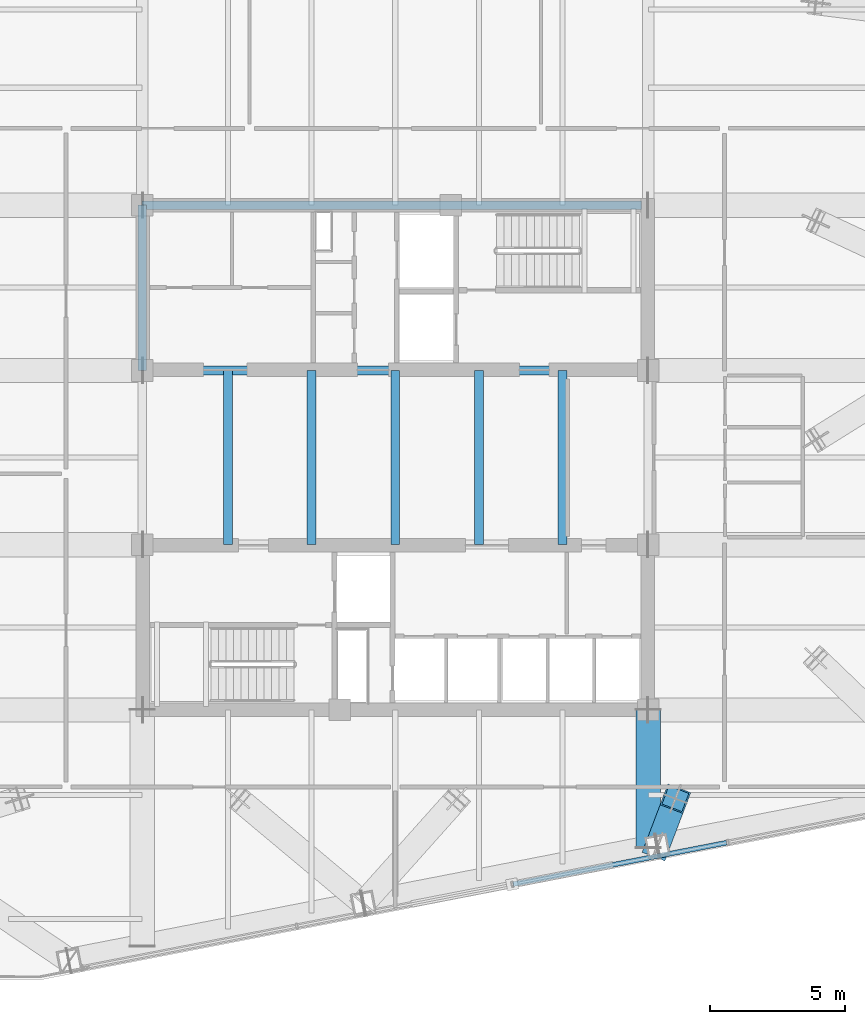
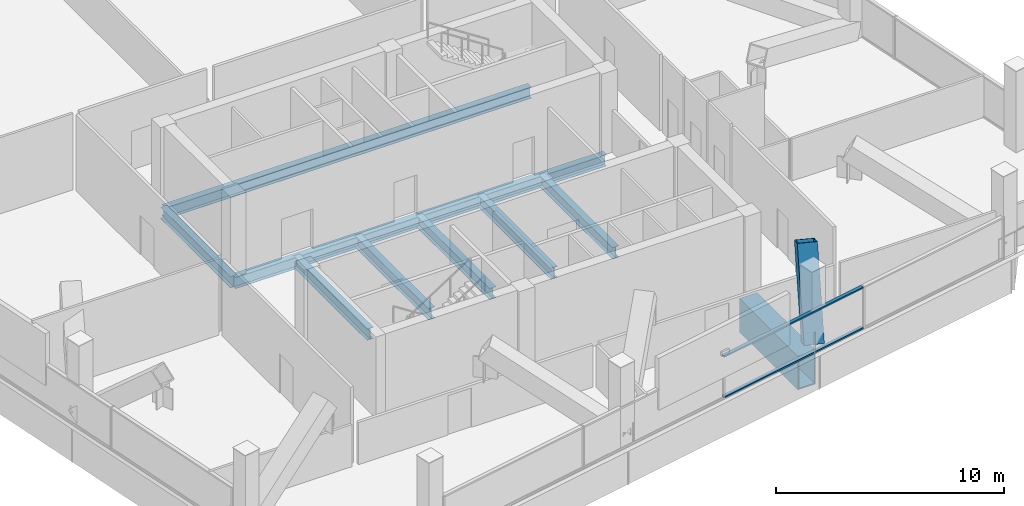
# One storey, part 7 of 26: 9 beams, 3 members, 1 element without a shape of its own.
"""IFC4 building model written with IfcOpenShell, lengths in metres."""

from ifc_helpers import new_model, si_unit, direction, frame, origin, origin_2d, place, context, subcontext, project, spatial, hollow_rectangle, i_section, extrude, material, layer, layer_set, material_profile, profile_set, type_object, element, aggregate, save


model = new_model("IFC4")

# Units and contexts
model_context = context("Model", 3, precision=1e-05, world=origin(), true_north=direction((0.0, 1.0)))
body_context = subcontext(model_context, "Body", "Model", "MODEL_VIEW")
ifc_project = project(units=[si_unit("LENGTHUNIT", "METRE"), si_unit("AREAUNIT", "SQUARE_METRE"), si_unit("VOLUMEUNIT", "CUBIC_METRE"), si_unit("PLANEANGLEUNIT", "RADIAN"), si_unit("MASSUNIT", "GRAM", prefix="KILO")], contexts=[model_context])

# Site, building, storey
site_placement = place(None, origin())
site = spatial("IfcSite", under=ifc_project, at=site_placement, CompositionType="ELEMENT")
building_placement = place(site_placement, origin())
building = spatial("IfcBuilding", under=site, at=building_placement, Name="Qhalaya Broadcast Tower", CompositionType="ELEMENT")
storey_placement = place(building_placement, frame((0.0, 0.0, 140.25)))
storey = spatial("IfcBuildingStorey", under=building, at=storey_placement, Name="L41", CompositionType="ELEMENT", Elevation=140.25)

# Beams
ifc_material_1 = material(Name="Structural Steel ASTM A572 Grade 50", Category="steel")
ifc_material_profile_1 = material_profile(ifc_material_1, hollow_rectangle(XDim=0.89990234375, YDim=1.800048828125, WallThickness=0.06005859375, at=origin_2d()), Name="BOX 900x1800x60")
ifc_profile_set_1 = profile_set([ifc_material_profile_1], Name="Structural Steel ASTM A572 Grade 50")
beam_type_1 = type_object("IfcBeamType", Name="Block Cantilever Transfer Box Girder TG1", PredefinedType="USERDEFINED", material=ifc_profile_set_1)
beam_1_placement = place(storey_placement, frame((9.375, -13.845703125, -1.1201171875), z_axis=(0.0, 1.0, 0.0), x_axis=(-1.0, 0.0, 0.0)))
element("IfcBeam", 1, at=beam_1_placement, inside=storey, type_object=beam_type_1, Name="L41 TG1 L41-PGXS2-1", ObjectType="GIRDER", PredefinedType="USERDEFINED", context=body_context, shape_type="SweptSolid", body=[
    extrude(hollow_rectangle(XDim=0.89990234375, YDim=1.800048828125, WallThickness=0.06005859375, at=origin_2d()), origin(), (0.0, 0.0, 1.0), 5.095703125),
])
ifc_material_2 = material(Name="Structural Steel ASTM A992 Grade 50", Category="steel")
ifc_material_profile_2 = material_profile(ifc_material_2, i_section(OverallWidth=0.323974609375, OverallDepth=0.612060546875, WebThickness=0.0126953125, FlangeThickness=0.01904296875, at=origin_2d()), Name="W24X104")
ifc_profile_set_2 = profile_set([ifc_material_profile_2], Name="Structural Steel ASTM A992 Grade 50")
beam_type_2 = type_object("IfcBeamType", Name="Core Frame Tie Beam B04", PredefinedType="BEAM", material=ifc_profile_set_2)
beam_2_placement = place(storey_placement, frame((-9.375, 3.824951171875, -0.52587890625), z_axis=(1.0, 0.0, 0.0), x_axis=(0.0, 1.0, 0.0)))
element("IfcBeam", 2, at=beam_2_placement, inside=storey, type_object=beam_type_2, Name="L41 B04 L41-CCN1", PredefinedType="BEAM", context=body_context, shape_type="SweptSolid", body=[
    extrude(i_section(OverallWidth=0.323974609375, OverallDepth=0.612060546875, WebThickness=0.0126953125, FlangeThickness=0.01904296875, at=origin_2d()), origin(), (0.0, 0.0, 1.0), 18.75),
])
beam_3_placement = place(storey_placement, frame((-9.375, 3.824951171875, -0.52587890625), z_axis=(0.0, 1.0, 0.0), x_axis=(-1.0, 0.0, 0.0)))
element("IfcBeam", 3, at=beam_3_placement, inside=storey, type_object=beam_type_2, Name="L41 B04 L41-CCN2", PredefinedType="BEAM", context=body_context, shape_type="SweptSolid", body=[
    extrude(i_section(OverallWidth=0.323974609375, OverallDepth=0.612060546875, WebThickness=0.0126953125, FlangeThickness=0.01904296875, at=origin_2d()), origin(), (0.0, 0.0, 1.0), 6.125),
])
beam_4_placement = place(storey_placement, frame((-9.375, 9.949951171875, -0.52587890625), z_axis=(1.0, 0.0, 0.0), x_axis=(0.0, 1.0, 0.0)))
element("IfcBeam", 4, at=beam_4_placement, inside=storey, type_object=beam_type_2, Name="L41 B04 L41-CCN3", PredefinedType="BEAM", context=body_context, shape_type="SweptSolid", body=[
    extrude(i_section(OverallWidth=0.323974609375, OverallDepth=0.612060546875, WebThickness=0.0126953125, FlangeThickness=0.01904296875, at=origin_2d()), origin(), (0.0, 0.0, 1.0), 18.4951171875),
])
for number, where, z_axis, x_axis, name in (
    (5, (-6.199951171875, -2.625, -0.52587890625), (0.0, 1.0, 0.0), (-1.0, 0.0, 0.0), "L41 B04 L41-JC1-1"),
    (6, (-3.10009765625, -2.625, -0.52587890625), (0.0, 1.0, 0.0), (-1.0, 0.0, 0.0), "L41 B04 L41-JC2-1"),
    (7, (0.0, -2.625, -0.52587890625), (0.0, 1.0, 0.0), (-1.0, 0.0, 0.0), "L41 B04 L41-JC3-1"),
    (8, (3.10009765625, -2.625, -0.52587890625), (0.0, 1.0, 0.0), (-1.0, 0.0, 0.0), "L41 B04 L41-JC4-1"),
    (9, (6.199951171875, -2.625, -0.52587890625), (0.0, 1.0, 0.0), (-1.0, 0.0, 0.0), "L41 B04 L41-JC5-1"),
):
    element("IfcBeam", number, at=place(storey_placement, frame(where, z_axis=z_axis, x_axis=x_axis)), inside=storey, type_object=beam_type_2, Name=name, PredefinedType="BEAM", context=body_context, shape_type="SweptSolid", body=[
        extrude(i_section(OverallWidth=0.323974609375, OverallDepth=0.612060546875, WebThickness=0.0126953125, FlangeThickness=0.01904296875, at=origin_2d()), origin(), (0.0, 0.0, 1.0), 6.449951171875),
    ])

# Member
ifc_material_profile_3 = material_profile(ifc_material_1, hollow_rectangle(XDim=0.89990234375, YDim=0.89990234375, WallThickness=0.054931640625, at=origin_2d()), Name="BOX 900x900x55")
ifc_profile_set_3 = profile_set([ifc_material_profile_3], Name="Structural Steel ASTM A572 Grade 50")
member_type_1 = type_object("IfcMemberType", Name="Heavy Exoskeleton Transfer Strut RK1", PredefinedType="BRACE", material=ifc_profile_set_3)
member_1_placement = place(storey_placement, frame((9.712646484375, -13.80029296875, 0.19580078125), z_axis=(0.146294629533, 0.385943753727, 0.910848670378), x_axis=(-0.935076100214, 0.354447015518, 0.0)))
element("IfcMember", 10, at=member_1_placement, inside=storey, type_object=member_type_1, Name="L41 Inclined Exoskeleton Transfer Strut 04", PredefinedType="BRACE", context=body_context, shape_type="SweptSolid", body=[
    extrude(hollow_rectangle(XDim=0.89990234375, YDim=0.89990234375, WallThickness=0.054931640625, at=origin_2d()), origin(), (0.0, 0.0, 1.0), 4.560791015625),
])

# Curtain wall, members
ifc_material_3 = material(Name="Fired Architectural Terracotta", Category="masonry")
ifc_layer = layer(ifc_material_3, 0.219970703125, Name="Fired Architectural Terracotta")
ifc_layer_set = layer_set([ifc_layer], Name="Fired Architectural Terracotta")
curtain_wall_type = type_object("IfcCurtainWallType", Name="Block-Cap Unitised Terracotta Spandrel Wall CW-07", PredefinedType="NOTDEFINED", material=ifc_layer_set)
curtain_wall_placement = place(storey_placement, origin())
curtain_wall = element("IfcCurtainWall", 11, at=curtain_wall_placement, inside=storey, type_object=curtain_wall_type, Name="L41 Unitised Curtain Wall L41-CW-S", PredefinedType="NOTDEFINED")
ifc_material_4 = material(Name="Anodised Aluminium 6063-T6", Category="aluminium")
ifc_material_profile_4 = material_profile(ifc_material_4, hollow_rectangle(XDim=0.074951171875, YDim=0.179931640625, WallThickness=0.00390625, at=origin_2d()), Name="ALU-TRN 75x180x4")
ifc_profile_set_4 = profile_set([ifc_material_profile_4], Name="Anodised Aluminium 6063-T6")
member_type_2 = type_object("IfcMemberType", Name="Unitised Curtain-Wall Transom T01", PredefinedType="USERDEFINED", material=ifc_profile_set_4)
member_2_placement = place(storey_placement, frame((12.278076171875, -13.66845703125, 0.03759765625), z_axis=(-0.981628163132, -0.190803955268, 0.0), x_axis=(0.0, 0.0, 1.0)))
member_2 = element("IfcMember", 12, at=member_2_placement, type_object=member_type_2, Name="CW-07 transom 2.1", ObjectType="TRANSOM", PredefinedType="USERDEFINED", context=body_context, shape_type="SweptSolid", body=[
    extrude(hollow_rectangle(XDim=0.074951171875, YDim=0.179931640625, WallThickness=0.00390625, at=origin_2d()), origin(), (0.0, 0.0, 1.0), 8.055908203125),
])
member_3_placement = place(storey_placement, frame((12.278076171875, -13.66845703125, 2.21240234375), z_axis=(-0.981628163132, -0.190803955268, 0.0), x_axis=(0.0, 0.0, 1.0)))
member_3 = element("IfcMember", 13, at=member_3_placement, type_object=member_type_2, Name="CW-07 transom 2.2", ObjectType="TRANSOM", PredefinedType="USERDEFINED", context=body_context, shape_type="SweptSolid", body=[
    extrude(hollow_rectangle(XDim=0.074951171875, YDim=0.179931640625, WallThickness=0.00390625, at=origin_2d()), origin(), (0.0, 0.0, 1.0), 8.055908203125),
])
aggregate(curtain_wall, [member_2, member_3])

save(model, "model.ifc")
